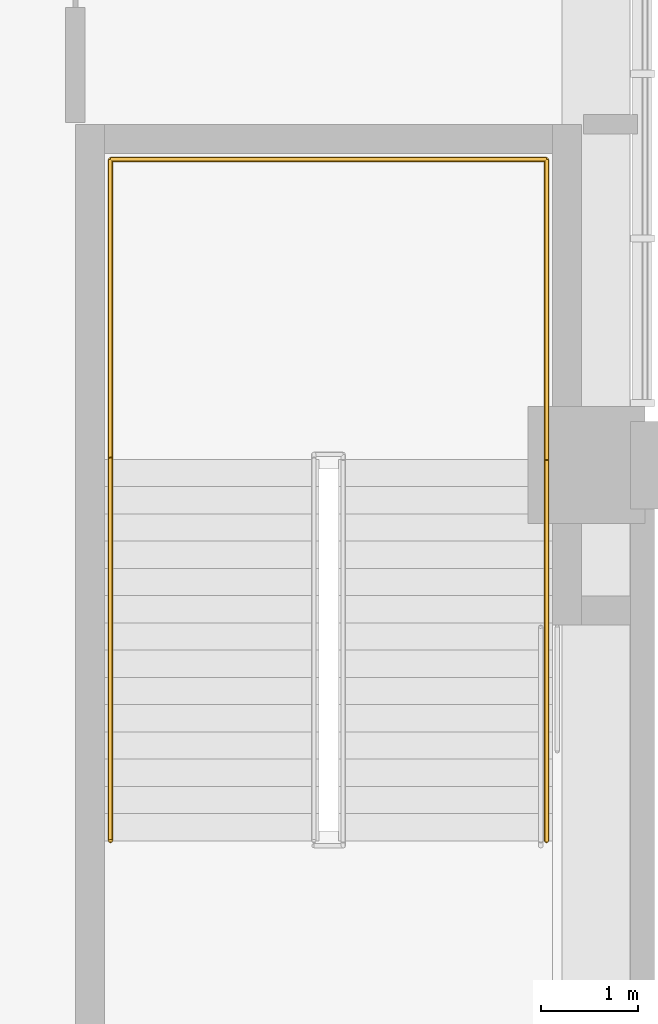
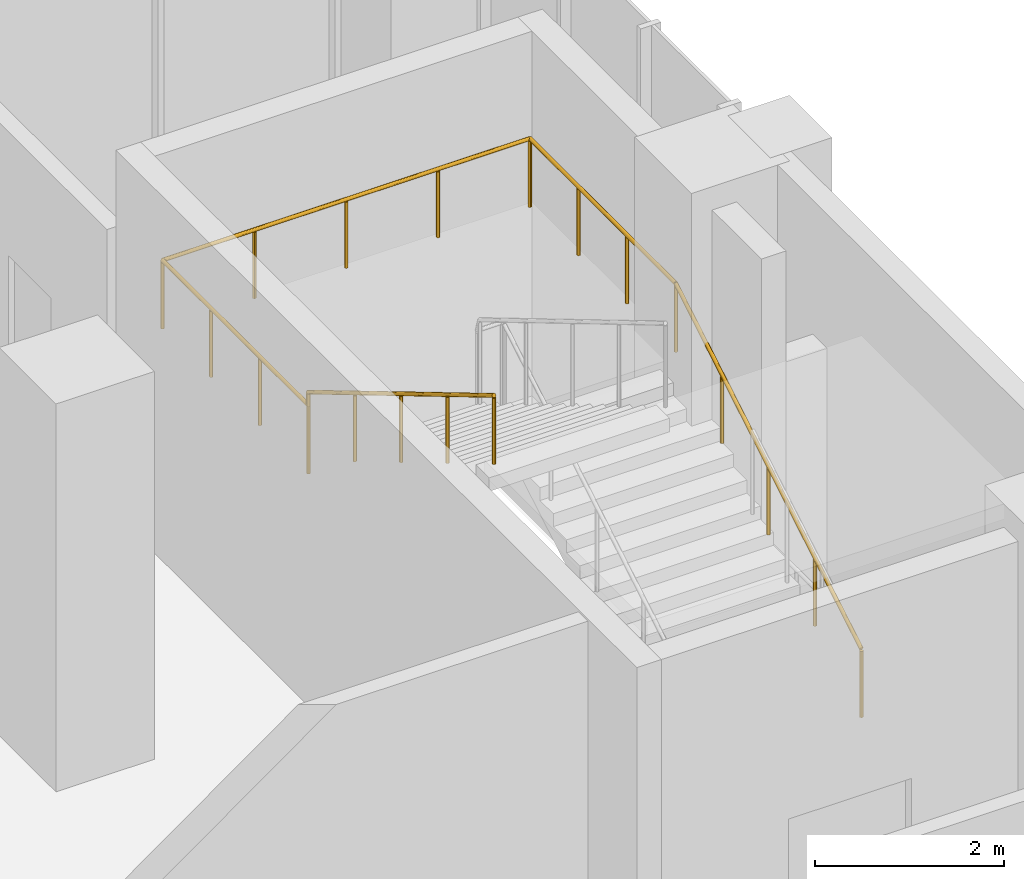
# One storey, part 24 of 24: 1 railing.
"""IFC4 building model written with IfcOpenShell, lengths in metres."""

from ifc_helpers import new_model, si_unit, direction, frame, origin, origin_2d, place, context, subcontext, project, spatial, circle, extrude, material, type_object, element, save


model = new_model("IFC4")

# Units and contexts
model_context = context("Model", 3, precision=1e-05, world=origin(), true_north=direction((0.0, 1.0)))
body_context = subcontext(model_context, "Body", "Model", "MODEL_VIEW")
ifc_project = project(units=[si_unit("LENGTHUNIT", "METRE"), si_unit("AREAUNIT", "SQUARE_METRE"), si_unit("VOLUMEUNIT", "CUBIC_METRE"), si_unit("PLANEANGLEUNIT", "RADIAN"), si_unit("MASSUNIT", "GRAM", prefix="KILO")], contexts=[model_context])

# Site, building, storey
site_placement = place(None, origin())
site = spatial("IfcSite", under=ifc_project, at=site_placement, CompositionType="ELEMENT")
building_placement = place(site_placement, origin())
building = spatial("IfcBuilding", under=site, at=building_placement, Name="Khuree Lantern Residences", CompositionType="ELEMENT")
storey_placement = place(building_placement, frame((0.0, 0.0, 11.0)))
storey = spatial("IfcBuildingStorey", under=building, at=storey_placement, Name="L02", CompositionType="ELEMENT", Elevation=11.0)

# Railing
ifc_material = material(Name="Steel S355", Category="steel")
railing_type = type_object("IfcRailingType", Name="STAIR HANDRAIL H1 900", PredefinedType="HANDRAIL", material=ifc_material)
railing_placement = place(storey_placement, frame((37.139892578125, 33.340087890625, 0.166748046875)))
element("IfcRailing", 1, at=railing_placement, inside=storey, type_object=railing_type, Name="Stair ST4 handrail", PredefinedType="HANDRAIL", context=body_context, shape_type="SweptSolid", body=[
    extrude(circle(Radius=0.02392578125, at=origin_2d()), frame((0.0, 0.0, 0.8759765625), z_axis=(0.0, 0.859296244711, 0.511478214419), x_axis=(-1.0, 0.0, 0.0)), (0.0, 0.0, 1.0), 4.561767578125),
    extrude(circle(Radius=0.02392578125, at=origin_2d()), frame((0.0, 3.919921875, 3.208984375), z_axis=(0.0, 1.0, 0.0), x_axis=(-1.0, 0.0, 0.0)), (0.0, 0.0, 1.0), 3.080078125),
    extrude(circle(Radius=0.02392578125, at=origin_2d()), frame((0.0, 7.0, 3.208984375), z_axis=(-1.0, 0.0, 0.0), x_axis=(0.0, -1.0, 0.0)), (0.0, 0.0, 1.0), 4.47998046875),
    extrude(circle(Radius=0.02392578125, at=origin_2d()), frame((-4.47998046875, 7.0, 3.208984375), z_axis=(0.0, -1.0, 0.0), x_axis=(1.0, 0.0, 0.0)), (0.0, 0.0, 1.0), 3.080078125),
    extrude(circle(Radius=0.02392578125, at=origin_2d()), frame((-4.47998046875, 3.919921875, 3.208984375), z_axis=(0.0, 0.0, 1.0), x_axis=(1.0, 0.0, 0.0)), (0.0, 0.0, 1.0), 0.166748046875),
    extrude(circle(Radius=0.02392578125, at=origin_2d()), frame((-4.47998046875, 3.919921875, 3.3759765625), z_axis=(0.0, -0.859296244711, 0.511478214419), x_axis=(1.0, 0.0, 0.0)), (0.0, 0.0, 1.0), 4.561767578125),
    extrude(circle(Radius=0.02099609375, at=origin_2d()), origin(), (0.0, 0.0, 1.0), 0.851806640625),
    extrude(circle(Radius=0.02099609375, at=origin_2d()), frame((0.0, 0.97998046875, 0.583251953125)), (0.0, 0.0, 1.0), 0.851806640625),
    extrude(circle(Radius=0.02099609375, at=origin_2d()), frame((0.0, 1.9599609375, 1.16650390625)), (0.0, 0.0, 1.0), 0.851806640625),
    extrude(circle(Radius=0.02099609375, at=origin_2d()), frame((0.0, 2.93994140625, 1.75)), (0.0, 0.0, 1.0), 0.851806640625),
    extrude(circle(Radius=0.02099609375, at=origin_2d()), frame((0.0, 3.919921875, 2.333251953125)), (0.0, 0.0, 1.0), 0.851806640625),
    extrude(circle(Radius=0.02099609375, at=origin_2d()), frame((0.0, 4.946533203125, 2.333251953125)), (0.0, 0.0, 1.0), 0.851806640625),
    extrude(circle(Radius=0.02099609375, at=origin_2d()), frame((0.0, 5.973388671875, 2.333251953125)), (0.0, 0.0, 1.0), 0.851806640625),
    extrude(circle(Radius=0.02099609375, at=origin_2d()), frame((0.0, 7.0, 2.333251953125)), (0.0, 0.0, 1.0), 0.851806640625),
    extrude(circle(Radius=0.02099609375, at=origin_2d()), frame((-1.1201171875, 7.0, 2.333251953125)), (0.0, 0.0, 1.0), 0.851806640625),
    extrude(circle(Radius=0.02099609375, at=origin_2d()), frame((-2.239990234375, 7.0, 2.333251953125)), (0.0, 0.0, 1.0), 0.851806640625),
    extrude(circle(Radius=0.02099609375, at=origin_2d()), frame((-3.35986328125, 7.0, 2.333251953125)), (0.0, 0.0, 1.0), 0.851806640625),
    extrude(circle(Radius=0.02099609375, at=origin_2d()), frame((-4.47998046875, 7.0, 2.333251953125)), (0.0, 0.0, 1.0), 0.851806640625),
    extrude(circle(Radius=0.02099609375, at=origin_2d()), frame((-4.47998046875, 5.973388671875, 2.333251953125)), (0.0, 0.0, 1.0), 0.851806640625),
    extrude(circle(Radius=0.02099609375, at=origin_2d()), frame((-4.47998046875, 4.946533203125, 2.333251953125)), (0.0, 0.0, 1.0), 0.851806640625),
    extrude(circle(Radius=0.02099609375, at=origin_2d()), frame((-4.47998046875, 3.919921875, 2.333251953125)), (0.0, 0.0, 1.0), 0.851806640625),
    extrude(circle(Radius=0.02099609375, at=origin_2d()), frame((-4.47998046875, 3.919921875, 2.5)), (0.0, 0.0, 1.0), 0.851806640625),
    extrude(circle(Radius=0.02099609375, at=origin_2d()), frame((-4.47998046875, 2.93994140625, 3.083251953125)), (0.0, 0.0, 1.0), 0.851806640625),
    extrude(circle(Radius=0.02099609375, at=origin_2d()), frame((-4.47998046875, 1.9599609375, 3.66650390625)), (0.0, 0.0, 1.0), 0.851806640625),
    extrude(circle(Radius=0.02099609375, at=origin_2d()), frame((-4.47998046875, 0.97998046875, 4.25)), (0.0, 0.0, 1.0), 0.851806640625),
    extrude(circle(Radius=0.02099609375, at=origin_2d()), frame((-4.47998046875, 0.0, 4.833251953125)), (0.0, 0.0, 1.0), 0.851806640625),
])

save(model, "model.ifc")
